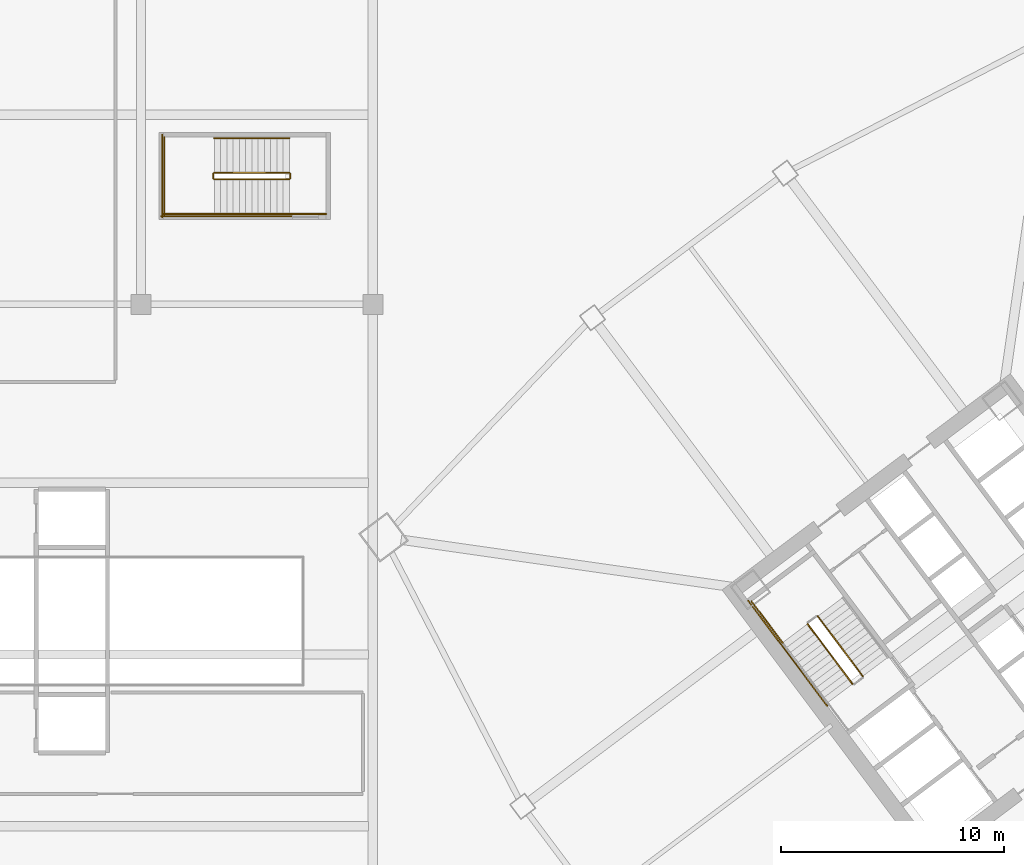
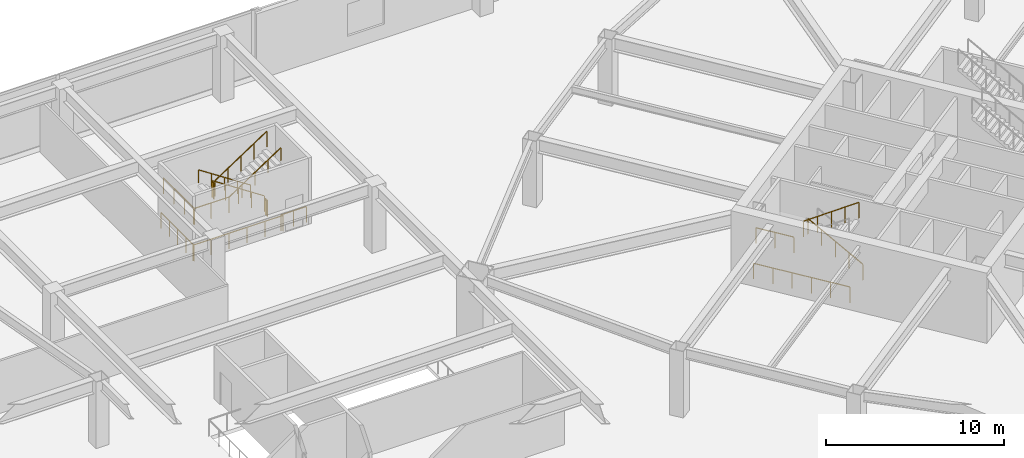
# One storey, part 42 of 44: 15 railings.
"""IFC4 building model written with IfcOpenShell, lengths in metres."""

from ifc_helpers import new_model, si_unit, direction, frame, origin, origin_2d, place, context, subcontext, project, spatial, rectangle, extrude, material, type_object, element, save


model = new_model("IFC4")

# Units and contexts
model_context = context("Model", 3, precision=1e-05, world=origin(), true_north=direction((0.0, 1.0)))
body_context = subcontext(model_context, "Body", "Model", "MODEL_VIEW")
ifc_project = project(units=[si_unit("LENGTHUNIT", "METRE"), si_unit("AREAUNIT", "SQUARE_METRE"), si_unit("VOLUMEUNIT", "CUBIC_METRE"), si_unit("PLANEANGLEUNIT", "RADIAN"), si_unit("MASSUNIT", "GRAM", prefix="KILO")], contexts=[model_context])

# Site, building, storey
site_placement = place(None, origin())
site = spatial("IfcSite", under=ifc_project, at=site_placement, CompositionType="ELEMENT")
building_placement = place(site_placement, origin())
building = spatial("IfcBuilding", under=site, at=building_placement, Name="Tashvorn Skyway Center", CompositionType="ELEMENT")
storey_placement = place(building_placement, frame((0.0, 0.0, 5.39990234375)))
storey = spatial("IfcBuildingStorey", under=building, at=storey_placement, Name="L01", CompositionType="ELEMENT", Elevation=5.39990234375)

# Railings
ifc_material_1 = material(Name="Brushed stainless steel 316", Category="steel")
railing_type_1 = type_object("IfcRailingType", Name="RAIL-HAND-920", PredefinedType="HANDRAIL", material=ifc_material_1)
railing_1_placement = place(storey_placement, frame((83.449951171875, 53.64990234375, 0.184814453125)))
element("IfcRailing", 1, at=railing_1_placement, inside=storey, type_object=railing_type_1, Name="L01 ST-POD-2 stair handrail 1", PredefinedType="HANDRAIL", context=body_context, shape_type="SweptSolid", body=[
    extrude(rectangle(XDim=0.048095703125, YDim=0.048095703125, at=origin_2d()), frame((0.0, 0.0, 0.8759765625), z_axis=(-0.834858096282, 0.0, 0.550465220583), x_axis=(0.0, -1.0, 0.0)), (0.0, 0.0, 1.0), 4.0244140625),
    extrude(rectangle(XDim=0.0419921875, YDim=0.0419921875, at=origin_2d()), origin(), (0.0, 0.0, 1.0), 0.851806640625),
    extrude(rectangle(XDim=0.0419921875, YDim=0.0419921875, at=origin_2d()), frame((-0.83984375, 0.0, 0.5537109375)), (0.0, 0.0, 1.0), 0.851806640625),
    extrude(rectangle(XDim=0.0419921875, YDim=0.0419921875, at=origin_2d()), frame((-1.679931640625, 0.0, 1.107666015625)), (0.0, 0.0, 1.0), 0.851806640625),
    extrude(rectangle(XDim=0.0419921875, YDim=0.0419921875, at=origin_2d()), frame((-2.52001953125, 0.0, 1.66162109375)), (0.0, 0.0, 1.0), 0.851806640625),
    extrude(rectangle(XDim=0.0419921875, YDim=0.0419921875, at=origin_2d()), frame((-3.35986328125, 0.0, 2.21533203125)), (0.0, 0.0, 1.0), 0.851806640625),
])
railing_2_placement = place(storey_placement, frame((80.090087890625, 50.25, 2.584716796875)))
element("IfcRailing", 2, at=railing_2_placement, inside=storey, type_object=railing_type_1, Name="L01 ST-POD-2 stair handrail 2", PredefinedType="HANDRAIL", context=body_context, shape_type="SweptSolid", body=[
    extrude(rectangle(XDim=0.048095703125, YDim=0.048095703125, at=origin_2d()), frame((0.0, 0.0, 0.8759765625), z_axis=(0.834858096282, 0.0, 0.550465220583), x_axis=(0.0, 1.0, 0.0)), (0.0, 0.0, 1.0), 4.0244140625),
    extrude(rectangle(XDim=0.0419921875, YDim=0.0419921875, at=origin_2d()), origin(), (0.0, 0.0, 1.0), 0.851806640625),
    extrude(rectangle(XDim=0.0419921875, YDim=0.0419921875, at=origin_2d()), frame((0.83984375, 0.0, 0.5537109375)), (0.0, 0.0, 1.0), 0.851806640625),
    extrude(rectangle(XDim=0.0419921875, YDim=0.0419921875, at=origin_2d()), frame((1.679931640625, 0.0, 1.107666015625)), (0.0, 0.0, 1.0), 0.851806640625),
    extrude(rectangle(XDim=0.0419921875, YDim=0.0419921875, at=origin_2d()), frame((2.52001953125, 0.0, 1.66162109375)), (0.0, 0.0, 1.0), 0.851806640625),
    extrude(rectangle(XDim=0.0419921875, YDim=0.0419921875, at=origin_2d()), frame((3.35986328125, 0.0, 2.21533203125)), (0.0, 0.0, 1.0), 0.851806640625),
])
ifc_material_2 = material(Name="Painted galvanized steel S355", Category="steel")
railing_type_2 = type_object("IfcRailingType", Name="RAIL-STGUARD-1100", PredefinedType="GUARDRAIL", material=ifc_material_2)
railing_3_placement = place(storey_placement, frame((109.16796875, 29.52587890625, 0.184814453125)))
element("IfcRailing", 3, at=railing_3_placement, inside=storey, type_object=railing_type_2, Name="L01 ST-T2-1 stair guard 1", PredefinedType="GUARDRAIL", context=body_context, shape_type="SweptSolid", body=[
    extrude(rectangle(XDim=0.048095703125, YDim=0.048095703125, at=origin_2d()), frame((0.0, 0.0, 1.076171875), z_axis=(-0.500877356413, 0.667937576778, 0.550437341902), x_axis=(-0.800043593035, -0.599941871554, 0.0)), (0.0, 0.0, 1.0), 4.024658203125),
    extrude(rectangle(XDim=0.0419921875, YDim=0.0419921875, at=origin_2d()), origin(), (0.0, 0.0, 1.0), 1.052001953125),
    extrude(rectangle(XDim=0.0419921875, YDim=0.0419921875, at=origin_2d()), frame((-0.50390625, 0.672119140625, 0.5537109375)), (0.0, 0.0, 1.0), 1.052001953125),
    extrude(rectangle(XDim=0.0419921875, YDim=0.0419921875, at=origin_2d()), frame((-1.0078125, 1.34423828125, 1.107666015625)), (0.0, 0.0, 1.0), 1.052001953125),
    extrude(rectangle(XDim=0.0419921875, YDim=0.0419921875, at=origin_2d()), frame((-1.511962890625, 2.01611328125, 1.66162109375)), (0.0, 0.0, 1.0), 1.052001953125),
    extrude(rectangle(XDim=0.0419921875, YDim=0.0419921875, at=origin_2d()), frame((-2.015869140625, 2.688232421875, 2.21533203125)), (0.0, 0.0, 1.0), 1.052001953125),
])
railing_4_placement = place(storey_placement, frame((105.568115234375, 31.02587890625, 2.400146484375)))
element("IfcRailing", 4, at=railing_4_placement, inside=storey, type_object=railing_type_2, Name="L01 ST-T2-1 stair guard 3", PredefinedType="GUARDRAIL", context=body_context, shape_type="SweptSolid", body=[
    extrude(rectangle(XDim=0.048095703125, YDim=0.048095703125, at=origin_2d()), frame((0.0, 0.0, 1.076171875), z_axis=(-0.599983164142, 0.800012626617, 0.0), x_axis=(-0.800012626617, -0.599983164142, 0.0)), (0.0, 0.0, 1.0), 2.3203125),
    extrude(rectangle(XDim=0.0419921875, YDim=0.0419921875, at=origin_2d()), origin(), (0.0, 0.0, 1.0), 1.052001953125),
    extrude(rectangle(XDim=0.0419921875, YDim=0.0419921875, at=origin_2d()), frame((-0.696044921875, 0.92822265625, 0.0)), (0.0, 0.0, 1.0), 1.052001953125),
    extrude(rectangle(XDim=0.0419921875, YDim=0.0419921875, at=origin_2d()), frame((-1.39208984375, 1.856201171875, 0.0)), (0.0, 0.0, 1.0), 1.052001953125),
])
railing_5_placement = place(storey_placement, frame((106.68798828125, 31.865966796875, 2.584716796875)))
element("IfcRailing", 5, at=railing_5_placement, inside=storey, type_object=railing_type_2, Name="L01 ST-T2-1 stair guard 4", PredefinedType="GUARDRAIL", context=body_context, shape_type="SweptSolid", body=[
    extrude(rectangle(XDim=0.048095703125, YDim=0.048095703125, at=origin_2d()), frame((0.0, 0.0, 1.076171875), z_axis=(0.500943092104, -0.667883681771, 0.55044291811), x_axis=(0.79998256135, 0.600023250829, 0.0)), (0.0, 0.0, 1.0), 4.024658203125),
    extrude(rectangle(XDim=0.0419921875, YDim=0.0419921875, at=origin_2d()), origin(), (0.0, 0.0, 1.0), 1.052001953125),
    extrude(rectangle(XDim=0.0419921875, YDim=0.0419921875, at=origin_2d()), frame((0.50390625, -0.671875, 0.5537109375)), (0.0, 0.0, 1.0), 1.052001953125),
    extrude(rectangle(XDim=0.0419921875, YDim=0.0419921875, at=origin_2d()), frame((1.008056640625, -1.343994140625, 1.107666015625)), (0.0, 0.0, 1.0), 1.052001953125),
    extrude(rectangle(XDim=0.0419921875, YDim=0.0419921875, at=origin_2d()), frame((1.51220703125, -2.01611328125, 1.66162109375)), (0.0, 0.0, 1.0), 1.052001953125),
    extrude(rectangle(XDim=0.0419921875, YDim=0.0419921875, at=origin_2d()), frame((2.01611328125, -2.68798828125, 2.21533203125)), (0.0, 0.0, 1.0), 1.052001953125),
])
railing_6_placement = place(storey_placement, frame((107.56396484375, 28.197998046875, 0.0)))
element("IfcRailing", 6, at=railing_6_placement, inside=storey, type_object=railing_type_2, Name="L01 ST-T2-1 stair guard 7", PredefinedType="GUARDRAIL", context=body_context, shape_type="SweptSolid", body=[
    extrude(rectangle(XDim=0.048095703125, YDim=0.048095703125, at=origin_2d()), frame((0.0, 0.0, 1.076171875), z_axis=(-0.6, 0.8, 0.0), x_axis=(-0.8, -0.6, 0.0)), (0.0, 0.0, 1.0), 5.880126953125),
    extrude(rectangle(XDim=0.0419921875, YDim=0.0419921875, at=origin_2d()), origin(), (0.0, 0.0, 1.0), 1.052001953125),
    extrude(rectangle(XDim=0.0419921875, YDim=0.0419921875, at=origin_2d()), frame((-0.70556640625, 0.94091796875, 0.0)), (0.0, 0.0, 1.0), 1.052001953125),
    extrude(rectangle(XDim=0.0419921875, YDim=0.0419921875, at=origin_2d()), frame((-1.4111328125, 1.881591796875, 0.0)), (0.0, 0.0, 1.0), 1.052001953125),
    extrude(rectangle(XDim=0.0419921875, YDim=0.0419921875, at=origin_2d()), frame((-2.116943359375, 2.822509765625, 0.0)), (0.0, 0.0, 1.0), 1.052001953125),
    extrude(rectangle(XDim=0.0419921875, YDim=0.0419921875, at=origin_2d()), frame((-2.822509765625, 3.76318359375, 0.0)), (0.0, 0.0, 1.0), 1.052001953125),
    extrude(rectangle(XDim=0.0419921875, YDim=0.0419921875, at=origin_2d()), frame((-3.528076171875, 4.7041015625, 0.0)), (0.0, 0.0, 1.0), 1.052001953125),
])
railing_7_placement = place(storey_placement, frame((83.449951171875, 52.10009765625, 0.184814453125)))
element("IfcRailing", 7, at=railing_7_placement, inside=storey, type_object=railing_type_2, Name="L01 ST-POD-2 stair guard 1", PredefinedType="GUARDRAIL", context=body_context, shape_type="SweptSolid", body=[
    extrude(rectangle(XDim=0.048095703125, YDim=0.048095703125, at=origin_2d()), frame((0.0, 0.0, 1.076171875), z_axis=(-0.834858096282, 0.0, 0.550465220583), x_axis=(0.0, -1.0, 0.0)), (0.0, 0.0, 1.0), 4.0244140625),
    extrude(rectangle(XDim=0.0419921875, YDim=0.0419921875, at=origin_2d()), origin(), (0.0, 0.0, 1.0), 1.052001953125),
    extrude(rectangle(XDim=0.0419921875, YDim=0.0419921875, at=origin_2d()), frame((-0.83984375, 0.0, 0.5537109375)), (0.0, 0.0, 1.0), 1.052001953125),
    extrude(rectangle(XDim=0.0419921875, YDim=0.0419921875, at=origin_2d()), frame((-1.679931640625, 0.0, 1.107666015625)), (0.0, 0.0, 1.0), 1.052001953125),
    extrude(rectangle(XDim=0.0419921875, YDim=0.0419921875, at=origin_2d()), frame((-2.52001953125, 0.0, 1.66162109375)), (0.0, 0.0, 1.0), 1.052001953125),
    extrude(rectangle(XDim=0.0419921875, YDim=0.0419921875, at=origin_2d()), frame((-3.35986328125, 0.0, 2.21533203125)), (0.0, 0.0, 1.0), 1.052001953125),
])
railing_8_placement = place(storey_placement, frame((80.0400390625, 52.050048828125, 2.400146484375)))
element("IfcRailing", 8, at=railing_8_placement, inside=storey, type_object=railing_type_2, Name="L01 ST-POD-2 stair guard 2", PredefinedType="GUARDRAIL", context=body_context, shape_type="SweptSolid", body=[
    extrude(rectangle(XDim=0.048095703125, YDim=0.048095703125, at=origin_2d()), frame((0.0, 0.0, 1.076171875), z_axis=(0.0, -1.0, 0.0), x_axis=(1.0, 0.0, 0.0)), (0.0, 0.0, 1.0), 0.199951171875),
    extrude(rectangle(XDim=0.0419921875, YDim=0.0419921875, at=origin_2d()), origin(), (0.0, 0.0, 1.0), 1.052001953125),
    extrude(rectangle(XDim=0.0419921875, YDim=0.0419921875, at=origin_2d()), frame((0.0, -0.199951171875, 0.0)), (0.0, 0.0, 1.0), 1.052001953125),
])
railing_9_placement = place(storey_placement, frame((80.090087890625, 50.25, 2.400146484375)))
element("IfcRailing", 9, at=railing_9_placement, inside=storey, type_object=railing_type_2, Name="L01 ST-POD-2 stair guard 3", PredefinedType="GUARDRAIL", context=body_context, shape_type="SweptSolid", body=[
    extrude(rectangle(XDim=0.048095703125, YDim=0.048095703125, at=origin_2d()), frame((0.0, 0.0, 1.076171875), z_axis=(-1.0, 0.0, 0.0), x_axis=(0.0, -1.0, 0.0)), (0.0, 0.0, 1.0), 2.2900390625),
    extrude(rectangle(XDim=0.0419921875, YDim=0.0419921875, at=origin_2d()), origin(), (0.0, 0.0, 1.0), 1.052001953125),
    extrude(rectangle(XDim=0.0419921875, YDim=0.0419921875, at=origin_2d()), frame((-1.14501953125, 0.0, 0.0)), (0.0, 0.0, 1.0), 1.052001953125),
    extrude(rectangle(XDim=0.0419921875, YDim=0.0419921875, at=origin_2d()), frame((-2.2900390625, 0.0, 0.0)), (0.0, 0.0, 1.0), 1.052001953125),
])
railing_10_placement = place(storey_placement, frame((77.85009765625, 53.699951171875, 2.400146484375)))
element("IfcRailing", 10, at=railing_10_placement, inside=storey, type_object=railing_type_2, Name="L01 ST-POD-2 stair guard 4", PredefinedType="GUARDRAIL", context=body_context, shape_type="SweptSolid", body=[
    extrude(rectangle(XDim=0.048095703125, YDim=0.048095703125, at=origin_2d()), frame((0.0, 0.0, 1.076171875), z_axis=(0.0, -1.0, 0.0), x_axis=(1.0, 0.0, 0.0)), (0.0, 0.0, 1.0), 3.5),
    extrude(rectangle(XDim=0.0419921875, YDim=0.0419921875, at=origin_2d()), origin(), (0.0, 0.0, 1.0), 1.052001953125),
    extrude(rectangle(XDim=0.0419921875, YDim=0.0419921875, at=origin_2d()), frame((0.0, -1.166748046875, 0.0)), (0.0, 0.0, 1.0), 1.052001953125),
    extrude(rectangle(XDim=0.0419921875, YDim=0.0419921875, at=origin_2d()), frame((0.0, -2.333251953125, 0.0)), (0.0, 0.0, 1.0), 1.052001953125),
    extrude(rectangle(XDim=0.0419921875, YDim=0.0419921875, at=origin_2d()), frame((0.0, -3.5, 0.0)), (0.0, 0.0, 1.0), 1.052001953125),
])
railing_11_placement = place(storey_placement, frame((80.090087890625, 51.800048828125, 2.584716796875)))
element("IfcRailing", 11, at=railing_11_placement, inside=storey, type_object=railing_type_2, Name="L01 ST-POD-2 stair guard 5", PredefinedType="GUARDRAIL", context=body_context, shape_type="SweptSolid", body=[
    extrude(rectangle(XDim=0.048095703125, YDim=0.048095703125, at=origin_2d()), frame((0.0, 0.0, 1.076171875), z_axis=(0.834858096282, 0.0, 0.550465220583), x_axis=(0.0, 1.0, 0.0)), (0.0, 0.0, 1.0), 4.0244140625),
    extrude(rectangle(XDim=0.0419921875, YDim=0.0419921875, at=origin_2d()), origin(), (0.0, 0.0, 1.0), 1.052001953125),
    extrude(rectangle(XDim=0.0419921875, YDim=0.0419921875, at=origin_2d()), frame((0.83984375, 0.0, 0.5537109375)), (0.0, 0.0, 1.0), 1.052001953125),
    extrude(rectangle(XDim=0.0419921875, YDim=0.0419921875, at=origin_2d()), frame((1.679931640625, 0.0, 1.107666015625)), (0.0, 0.0, 1.0), 1.052001953125),
    extrude(rectangle(XDim=0.0419921875, YDim=0.0419921875, at=origin_2d()), frame((2.52001953125, 0.0, 1.66162109375)), (0.0, 0.0, 1.0), 1.052001953125),
    extrude(rectangle(XDim=0.0419921875, YDim=0.0419921875, at=origin_2d()), frame((3.35986328125, 0.0, 2.21533203125)), (0.0, 0.0, 1.0), 1.052001953125),
])
railing_12_placement = place(storey_placement, frame((83.5, 52.050048828125, 0.0)))
element("IfcRailing", 12, at=railing_12_placement, inside=storey, type_object=railing_type_2, Name="L01 ST-POD-2 stair guard 6", PredefinedType="GUARDRAIL", context=body_context, shape_type="SweptSolid", body=[
    extrude(rectangle(XDim=0.048095703125, YDim=0.048095703125, at=origin_2d()), frame((0.0, 0.0, 1.076171875), z_axis=(0.0, -1.0, 0.0), x_axis=(1.0, 0.0, 0.0)), (0.0, 0.0, 1.0), 0.199951171875),
    extrude(rectangle(XDim=0.0419921875, YDim=0.0419921875, at=origin_2d()), origin(), (0.0, 0.0, 1.0), 1.052001953125),
    extrude(rectangle(XDim=0.0419921875, YDim=0.0419921875, at=origin_2d()), frame((0.0, -0.199951171875, 0.0)), (0.0, 0.0, 1.0), 1.052001953125),
])
railing_13_placement = place(storey_placement, frame((85.10009765625, 50.25, 0.0)))
element("IfcRailing", 13, at=railing_13_placement, inside=storey, type_object=railing_type_2, Name="L01 ST-POD-2 stair guard 7", PredefinedType="GUARDRAIL", context=body_context, shape_type="SweptSolid", body=[
    extrude(rectangle(XDim=0.048095703125, YDim=0.048095703125, at=origin_2d()), frame((0.0, 0.0, 1.076171875), z_axis=(-1.0, 0.0, 0.0), x_axis=(0.0, -1.0, 0.0)), (0.0, 0.0, 1.0), 1.650146484375),
    extrude(rectangle(XDim=0.0419921875, YDim=0.0419921875, at=origin_2d()), origin(), (0.0, 0.0, 1.0), 1.052001953125),
    extrude(rectangle(XDim=0.0419921875, YDim=0.0419921875, at=origin_2d()), frame((-0.8251953125, 0.0, 0.0)), (0.0, 0.0, 1.0), 1.052001953125),
    extrude(rectangle(XDim=0.0419921875, YDim=0.0419921875, at=origin_2d()), frame((-1.650146484375, 0.0, 0.0)), (0.0, 0.0, 1.0), 1.052001953125),
])
railing_14_placement = place(storey_placement, frame((83.550048828125, 50.14990234375, 0.0)))
element("IfcRailing", 14, at=railing_14_placement, inside=storey, type_object=railing_type_2, Name="L01 ST-POD-2 stair guard 8", PredefinedType="GUARDRAIL", context=body_context, shape_type="SweptSolid", body=[
    extrude(rectangle(XDim=0.048095703125, YDim=0.048095703125, at=origin_2d()), frame((0.0, 0.0, 1.076171875), z_axis=(-1.0, 0.0, 0.0), x_axis=(0.0, -1.0, 0.0)), (0.0, 0.0, 1.0), 5.85009765625),
    extrude(rectangle(XDim=0.0419921875, YDim=0.0419921875, at=origin_2d()), origin(), (0.0, 0.0, 1.0), 1.052001953125),
    extrude(rectangle(XDim=0.0419921875, YDim=0.0419921875, at=origin_2d()), frame((-1.169921875, 0.0, 0.0)), (0.0, 0.0, 1.0), 1.052001953125),
    extrude(rectangle(XDim=0.0419921875, YDim=0.0419921875, at=origin_2d()), frame((-2.340087890625, 0.0, 0.0)), (0.0, 0.0, 1.0), 1.052001953125),
    extrude(rectangle(XDim=0.0419921875, YDim=0.0419921875, at=origin_2d()), frame((-3.510009765625, 0.0, 0.0)), (0.0, 0.0, 1.0), 1.052001953125),
    extrude(rectangle(XDim=0.0419921875, YDim=0.0419921875, at=origin_2d()), frame((-4.68017578125, 0.0, 0.0)), (0.0, 0.0, 1.0), 1.052001953125),
    extrude(rectangle(XDim=0.0419921875, YDim=0.0419921875, at=origin_2d()), frame((-5.85009765625, 0.0, 0.0)), (0.0, 0.0, 1.0), 1.052001953125),
])
railing_15_placement = place(storey_placement, frame((77.75, 53.800048828125, 0.0)))
element("IfcRailing", 15, at=railing_15_placement, inside=storey, type_object=railing_type_2, Name="L01 ST-POD-2 stair guard 9", PredefinedType="GUARDRAIL", context=body_context, shape_type="SweptSolid", body=[
    extrude(rectangle(XDim=0.048095703125, YDim=0.048095703125, at=origin_2d()), frame((0.0, 0.0, 1.076171875), z_axis=(0.0, -1.0, 0.0), x_axis=(1.0, 0.0, 0.0)), (0.0, 0.0, 1.0), 3.699951171875),
    extrude(rectangle(XDim=0.0419921875, YDim=0.0419921875, at=origin_2d()), origin(), (0.0, 0.0, 1.0), 1.052001953125),
    extrude(rectangle(XDim=0.0419921875, YDim=0.0419921875, at=origin_2d()), frame((0.0, -0.925048828125, 0.0)), (0.0, 0.0, 1.0), 1.052001953125),
    extrude(rectangle(XDim=0.0419921875, YDim=0.0419921875, at=origin_2d()), frame((0.0, -1.85009765625, 0.0)), (0.0, 0.0, 1.0), 1.052001953125),
    extrude(rectangle(XDim=0.0419921875, YDim=0.0419921875, at=origin_2d()), frame((0.0, -2.77490234375, 0.0)), (0.0, 0.0, 1.0), 1.052001953125),
    extrude(rectangle(XDim=0.0419921875, YDim=0.0419921875, at=origin_2d()), frame((0.0, -3.699951171875, 0.0)), (0.0, 0.0, 1.0), 1.052001953125),
])

save(model, "model.ifc")
